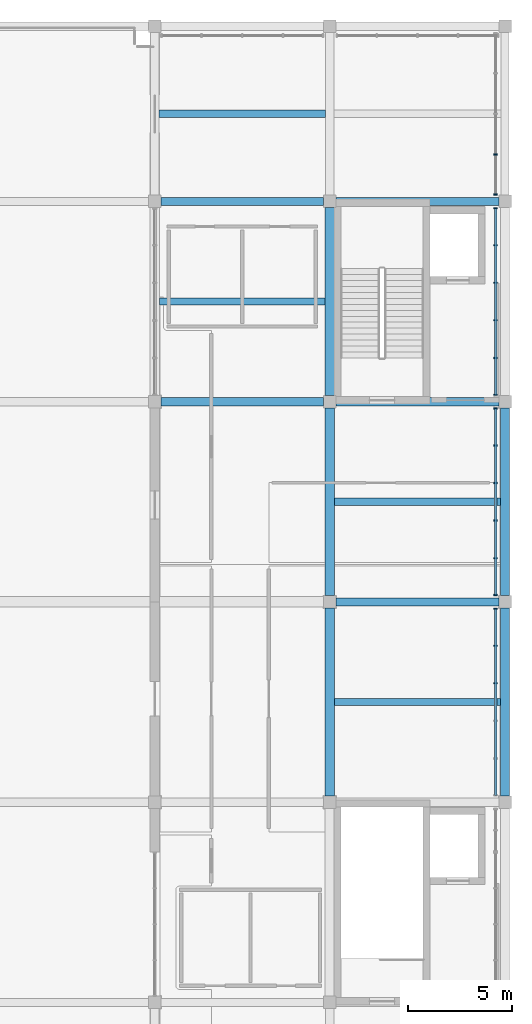
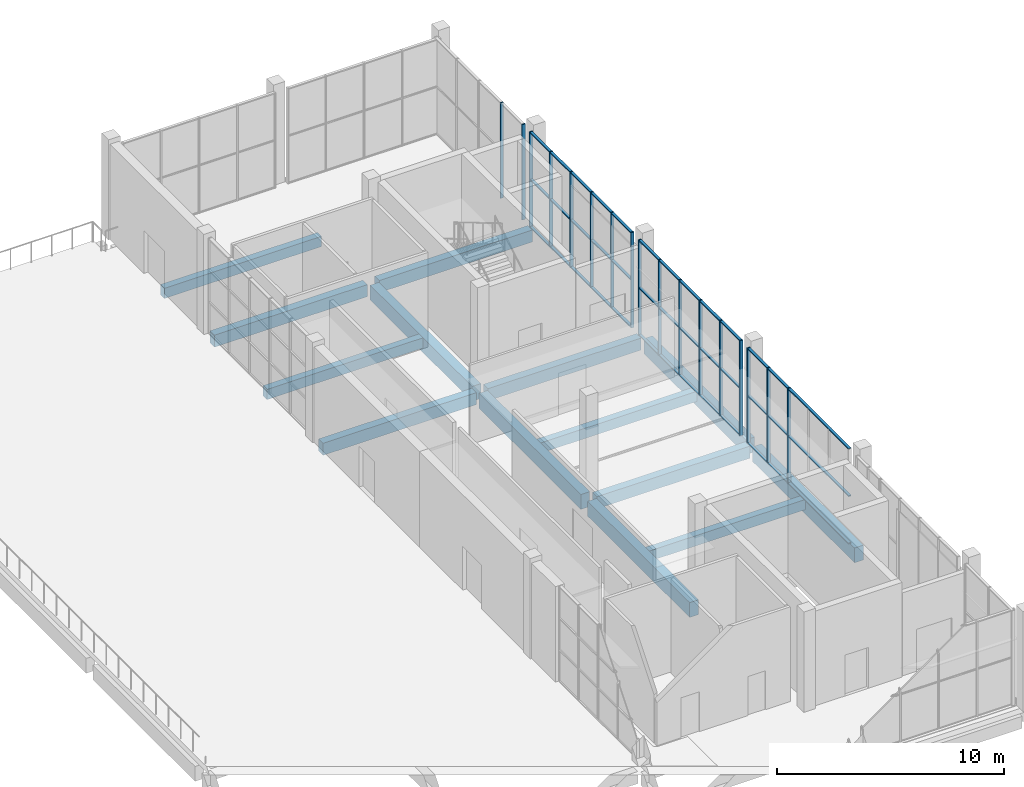
# One storey, part 6 of 15: 26 members, 14 beams, 4 elements without a shape of their own.
"""IFC4 building model written with IfcOpenShell, lengths in metres."""

from ifc_helpers import new_model, si_unit, direction, frame, origin, origin_2d, place, context, subcontext, project, spatial, rectangle, extrude, material, material_profile, profile_set, type_object, element, aggregate, save


model = new_model("IFC4")

# Units and contexts
model_context = context("Model", 3, precision=1e-05, world=origin(), true_north=direction((0.0, 1.0)))
body_context = subcontext(model_context, "Body", "Model", "MODEL_VIEW")
ifc_project = project(units=[si_unit("LENGTHUNIT", "METRE"), si_unit("AREAUNIT", "SQUARE_METRE"), si_unit("VOLUMEUNIT", "CUBIC_METRE"), si_unit("PLANEANGLEUNIT", "RADIAN"), si_unit("MASSUNIT", "GRAM", prefix="KILO")], contexts=[model_context])

# Site, building, storey
site_placement = place(None, origin())
site = spatial("IfcSite", under=ifc_project, at=site_placement, CompositionType="ELEMENT")
building_placement = place(site_placement, origin())
building = spatial("IfcBuilding", under=site, at=building_placement, Name="Shalvenor Court Art Gallery", CompositionType="ELEMENT")
storey_placement = place(building_placement, frame((0.0, 0.0, 27.0)))
storey = spatial("IfcBuildingStorey", under=building, at=storey_placement, Name="L05", CompositionType="ELEMENT", Elevation=27.0)

# Beams
ifc_material_1 = material(Name="Concrete C40/50", Category="concrete")
ifc_material_profile_1 = material_profile(ifc_material_1, rectangle(XDim=0.449951171875, YDim=0.800048828125, at=origin_2d()), Name="RC 450x800")
ifc_profile_set_1 = profile_set([ifc_material_profile_1], Name="Concrete C40/50")
beam_type_1 = type_object("IfcBeamType", Name="B-03", PredefinedType="BEAM", material=ifc_profile_set_1)
for number, where, z_axis, x_axis, name in (
    (1, (168.0, 60.300048828125, -0.699951171875), (0.0, 1.0, 0.0), (-1.0, 0.0, 0.0), "L05 Girder BM-L05-B-03-1290"),
    (2, (168.0, 69.89990234375, -0.699951171875), (0.0, 1.0, 0.0), (-1.0, 0.0, 0.0), "L05 Girder BM-L05-B-03-1291"),
    (3, (168.0, 79.5, -0.699951171875), (0.0, 1.0, 0.0), (-1.0, 0.0, 0.0), "L05 Girder BM-L05-B-03-1292"),
    (4, (176.39990234375, 60.300048828125, -0.699951171875), (0.0, 1.0, 0.0), (-1.0, 0.0, 0.0), "L05 Girder BM-L05-B-03-1296"),
    (5, (176.39990234375, 69.89990234375, -0.699951171875), (0.0, 1.0, 0.0), (-1.0, 0.0, 0.0), "L05 Girder BM-L05-B-03-1297"),
):
    element("IfcBeam", number, at=place(storey_placement, frame(where, z_axis=z_axis, x_axis=x_axis)), inside=storey, type_object=beam_type_1, Name=name, PredefinedType="BEAM", context=body_context, shape_type="SweptSolid", body=[
        extrude(rectangle(XDim=0.449951171875, YDim=0.800048828125, at=origin_2d()), origin(), (0.0, 0.0, 1.0), 9.0),
    ])
ifc_material_2 = material(Name="Concrete C40/50", Category="concrete")
ifc_material_profile_2 = material_profile(ifc_material_2, rectangle(XDim=0.39990234375, YDim=0.64990234375, at=origin_2d()), Name="RC 400x650")
ifc_profile_set_2 = profile_set([ifc_material_profile_2], Name="Concrete C40/50")
beam_type_2 = type_object("IfcBeamType", Name="B-06", PredefinedType="BEAM", material=ifc_profile_set_2)
for number, where, z_axis, x_axis, name in (
    (6, (168.300048828125, 69.60009765625, -0.625), (1.0, 0.0, 0.0), (0.0, 1.0, 0.0), "L05 Girder BM-L05-B-06-1314"),
    (7, (159.89990234375, 79.199951171875, -0.625), (1.0, 0.0, 0.0), (0.0, 1.0, 0.0), "L05 Girder BM-L05-B-06-1317"),
    (8, (168.300048828125, 79.199951171875, -0.625), (1.0, 0.0, 0.0), (0.0, 1.0, 0.0), "L05 Girder BM-L05-B-06-1318"),
    (9, (159.89990234375, 88.800048828125, -0.625), (1.0, 0.0, 0.0), (0.0, 1.0, 0.0), "L05 Girder BM-L05-B-06-1321"),
    (10, (168.300048828125, 88.800048828125, -0.625), (1.0, 0.0, 0.0), (0.0, 1.0, 0.0), "L05 Girder BM-L05-B-06-1322"),
):
    element("IfcBeam", number, at=place(storey_placement, frame(where, z_axis=z_axis, x_axis=x_axis)), inside=storey, type_object=beam_type_2, Name=name, PredefinedType="BEAM", context=body_context, shape_type="SweptSolid", body=[
        extrude(rectangle(XDim=0.39990234375, YDim=0.64990234375, at=origin_2d()), origin(), (0.0, 0.0, 1.0), 7.800048828125),
    ])

# Curtain wall, members
ifc_material_3 = material(Name="Anodised aluminium and low-iron glass curtain wall", Category="aluminium")
curtain_wall_type_1 = type_object("IfcCurtainWallType", Name="CW-CLR-4-78", PredefinedType="USERDEFINED", material=ifc_material_3)
curtain_wall_1_placement = place(storey_placement, origin())
curtain_wall_1 = element("IfcCurtainWall", 11, at=curtain_wall_1_placement, inside=storey, type_object=curtain_wall_type_1, Name="L05 Dark Clerestory Curtain Wall CW-L05-042", ObjectType="CURTAIN WALL", PredefinedType="USERDEFINED")
ifc_material_4 = material(Name="Dark anodised bronze aluminium mullion", Category="aluminium")
ifc_material_profile_3 = material_profile(ifc_material_4, rectangle(XDim=0.06005859375, YDim=0.159912109375, at=origin_2d()), Name="CWM-03")
ifc_profile_set_3 = profile_set([ifc_material_profile_3], Name="Dark anodised bronze aluminium mullion")
member_type_1 = type_object("IfcMemberType", Name="CWM-03", PredefinedType="MULLION", material=ifc_profile_set_3)
member_1_placement = place(storey_placement, frame((175.949951171875, 91.050048828125, 0.0), z_axis=(0.0, 0.0, 1.0), x_axis=(0.0, -1.0, 0.0)))
member_1 = element("IfcMember", 12, at=member_1_placement, type_object=member_type_1, Name="CW-CLR-4-78 mullion 4", PredefinedType="MULLION", context=body_context, shape_type="SweptSolid", body=[
    extrude(rectangle(XDim=0.06005859375, YDim=0.159912109375, at=origin_2d()), origin(), (0.0, 0.0, 1.0), 5.139892578125),
])
member_2_placement = place(storey_placement, frame((175.949951171875, 89.1298828125, 0.0), z_axis=(0.0, 0.0, 1.0), x_axis=(0.0, -1.0, 0.0)))
member_2 = element("IfcMember", 13, at=member_2_placement, type_object=member_type_1, Name="CW-CLR-4-78 mullion 5", PredefinedType="MULLION", context=body_context, shape_type="SweptSolid", body=[
    extrude(rectangle(XDim=0.06005859375, YDim=0.159912109375, at=origin_2d()), origin(), (0.0, 0.0, 1.0), 5.139892578125),
])
aggregate(curtain_wall_1, [member_1, member_2])

ifc_material_5 = material(Name="Anodised aluminium and low-iron glass curtain wall", Category="aluminium")
curtain_wall_type_2 = type_object("IfcCurtainWallType", Name="CW-CLR-5-90", PredefinedType="USERDEFINED", material=ifc_material_5)
curtain_wall_2_placement = place(storey_placement, origin())
curtain_wall_2 = element("IfcCurtainWall", 14, at=curtain_wall_2_placement, inside=storey, type_object=curtain_wall_type_2, Name="L05 Dark Clerestory Curtain Wall CW-L05-043", ObjectType="CURTAIN WALL", PredefinedType="USERDEFINED")
member_3_placement = place(storey_placement, frame((175.949951171875, 88.469970703125, 0.0), z_axis=(0.0, 0.0, 1.0), x_axis=(0.0, -1.0, 0.0)))
member_3 = element("IfcMember", 15, at=member_3_placement, type_object=member_type_1, Name="CW-CLR-5-90 mullion 1", PredefinedType="MULLION", context=body_context, shape_type="SweptSolid", body=[
    extrude(rectangle(XDim=0.06005859375, YDim=0.159912109375, at=origin_2d()), origin(), (0.0, 0.0, 1.0), 5.139892578125),
])
member_4_placement = place(storey_placement, frame((175.949951171875, 86.699951171875, 0.0), z_axis=(0.0, 0.0, 1.0), x_axis=(0.0, -1.0, 0.0)))
member_4 = element("IfcMember", 16, at=member_4_placement, type_object=member_type_1, Name="CW-CLR-5-90 mullion 2", PredefinedType="MULLION", context=body_context, shape_type="SweptSolid", body=[
    extrude(rectangle(XDim=0.06005859375, YDim=0.159912109375, at=origin_2d()), origin(), (0.0, 0.0, 1.0), 5.139892578125),
])
member_5_placement = place(storey_placement, frame((175.949951171875, 84.89990234375, 0.0), z_axis=(0.0, 0.0, 1.0), x_axis=(0.0, -1.0, 0.0)))
member_5 = element("IfcMember", 17, at=member_5_placement, type_object=member_type_1, Name="CW-CLR-5-90 mullion 3", PredefinedType="MULLION", context=body_context, shape_type="SweptSolid", body=[
    extrude(rectangle(XDim=0.06005859375, YDim=0.159912109375, at=origin_2d()), origin(), (0.0, 0.0, 1.0), 5.139892578125),
])
member_6_placement = place(storey_placement, frame((175.949951171875, 83.10009765625, 0.0), z_axis=(0.0, 0.0, 1.0), x_axis=(0.0, -1.0, 0.0)))
member_6 = element("IfcMember", 18, at=member_6_placement, type_object=member_type_1, Name="CW-CLR-5-90 mullion 4", PredefinedType="MULLION", context=body_context, shape_type="SweptSolid", body=[
    extrude(rectangle(XDim=0.06005859375, YDim=0.159912109375, at=origin_2d()), origin(), (0.0, 0.0, 1.0), 5.139892578125),
])
member_7_placement = place(storey_placement, frame((175.949951171875, 81.300048828125, 0.0), z_axis=(0.0, 0.0, 1.0), x_axis=(0.0, -1.0, 0.0)))
member_7 = element("IfcMember", 19, at=member_7_placement, type_object=member_type_1, Name="CW-CLR-5-90 mullion 5", PredefinedType="MULLION", context=body_context, shape_type="SweptSolid", body=[
    extrude(rectangle(XDim=0.06005859375, YDim=0.159912109375, at=origin_2d()), origin(), (0.0, 0.0, 1.0), 5.139892578125),
])
member_8_placement = place(storey_placement, frame((175.949951171875, 79.530029296875, 0.0), z_axis=(0.0, 0.0, 1.0), x_axis=(0.0, -1.0, 0.0)))
member_8 = element("IfcMember", 20, at=member_8_placement, type_object=member_type_1, Name="CW-CLR-5-90 mullion 6", PredefinedType="MULLION", context=body_context, shape_type="SweptSolid", body=[
    extrude(rectangle(XDim=0.06005859375, YDim=0.159912109375, at=origin_2d()), origin(), (0.0, 0.0, 1.0), 5.139892578125),
])

curtain_wall_3_placement = place(storey_placement, origin())
curtain_wall_3 = element("IfcCurtainWall", 21, at=curtain_wall_3_placement, inside=storey, type_object=curtain_wall_type_2, Name="L05 Dark Clerestory Curtain Wall CW-L05-044", ObjectType="CURTAIN WALL", PredefinedType="USERDEFINED")
member_9_placement = place(storey_placement, frame((175.949951171875, 78.8701171875, 0.0), z_axis=(0.0, 0.0, 1.0), x_axis=(0.0, -1.0, 0.0)))
member_9 = element("IfcMember", 22, at=member_9_placement, type_object=member_type_1, Name="CW-CLR-5-90 mullion 1", PredefinedType="MULLION", context=body_context, shape_type="SweptSolid", body=[
    extrude(rectangle(XDim=0.06005859375, YDim=0.159912109375, at=origin_2d()), origin(), (0.0, 0.0, 1.0), 5.139892578125),
])
member_10_placement = place(storey_placement, frame((175.949951171875, 77.10009765625, 0.0), z_axis=(0.0, 0.0, 1.0), x_axis=(0.0, -1.0, 0.0)))
member_10 = element("IfcMember", 23, at=member_10_placement, type_object=member_type_1, Name="CW-CLR-5-90 mullion 2", PredefinedType="MULLION", context=body_context, shape_type="SweptSolid", body=[
    extrude(rectangle(XDim=0.06005859375, YDim=0.159912109375, at=origin_2d()), origin(), (0.0, 0.0, 1.0), 5.139892578125),
])
member_11_placement = place(storey_placement, frame((175.949951171875, 75.300048828125, 0.0), z_axis=(0.0, 0.0, 1.0), x_axis=(0.0, -1.0, 0.0)))
member_11 = element("IfcMember", 24, at=member_11_placement, type_object=member_type_1, Name="CW-CLR-5-90 mullion 3", PredefinedType="MULLION", context=body_context, shape_type="SweptSolid", body=[
    extrude(rectangle(XDim=0.06005859375, YDim=0.159912109375, at=origin_2d()), origin(), (0.0, 0.0, 1.0), 5.139892578125),
])
member_12_placement = place(storey_placement, frame((175.949951171875, 73.5, 0.0), z_axis=(0.0, 0.0, 1.0), x_axis=(0.0, -1.0, 0.0)))
member_12 = element("IfcMember", 25, at=member_12_placement, type_object=member_type_1, Name="CW-CLR-5-90 mullion 4", PredefinedType="MULLION", context=body_context, shape_type="SweptSolid", body=[
    extrude(rectangle(XDim=0.06005859375, YDim=0.159912109375, at=origin_2d()), origin(), (0.0, 0.0, 1.0), 5.139892578125),
])
member_13_placement = place(storey_placement, frame((175.949951171875, 71.699951171875, 0.0), z_axis=(0.0, 0.0, 1.0), x_axis=(0.0, -1.0, 0.0)))
member_13 = element("IfcMember", 26, at=member_13_placement, type_object=member_type_1, Name="CW-CLR-5-90 mullion 5", PredefinedType="MULLION", context=body_context, shape_type="SweptSolid", body=[
    extrude(rectangle(XDim=0.06005859375, YDim=0.159912109375, at=origin_2d()), origin(), (0.0, 0.0, 1.0), 5.139892578125),
])
member_14_placement = place(storey_placement, frame((175.949951171875, 69.929931640625, 0.0), z_axis=(0.0, 0.0, 1.0), x_axis=(0.0, -1.0, 0.0)))
member_14 = element("IfcMember", 27, at=member_14_placement, type_object=member_type_1, Name="CW-CLR-5-90 mullion 6", PredefinedType="MULLION", context=body_context, shape_type="SweptSolid", body=[
    extrude(rectangle(XDim=0.06005859375, YDim=0.159912109375, at=origin_2d()), origin(), (0.0, 0.0, 1.0), 5.139892578125),
])

curtain_wall_4_placement = place(storey_placement, origin())
curtain_wall_4 = element("IfcCurtainWall", 28, at=curtain_wall_4_placement, inside=storey, type_object=curtain_wall_type_2, Name="L05 Dark Clerestory Curtain Wall CW-L05-045", ObjectType="CURTAIN WALL", PredefinedType="USERDEFINED")
member_15_placement = place(storey_placement, frame((175.949951171875, 69.27001953125, 0.0), z_axis=(0.0, 0.0, 1.0), x_axis=(0.0, -1.0, 0.0)))
member_15 = element("IfcMember", 29, at=member_15_placement, type_object=member_type_1, Name="CW-CLR-5-90 mullion 1", PredefinedType="MULLION", context=body_context, shape_type="SweptSolid", body=[
    extrude(rectangle(XDim=0.06005859375, YDim=0.159912109375, at=origin_2d()), origin(), (0.0, 0.0, 1.0), 5.139892578125),
])
member_16_placement = place(storey_placement, frame((175.949951171875, 67.5, 0.0), z_axis=(0.0, 0.0, 1.0), x_axis=(0.0, -1.0, 0.0)))
member_16 = element("IfcMember", 30, at=member_16_placement, type_object=member_type_1, Name="CW-CLR-5-90 mullion 2", PredefinedType="MULLION", context=body_context, shape_type="SweptSolid", body=[
    extrude(rectangle(XDim=0.06005859375, YDim=0.159912109375, at=origin_2d()), origin(), (0.0, 0.0, 1.0), 5.139892578125),
])
member_17_placement = place(storey_placement, frame((175.949951171875, 65.699951171875, 0.0), z_axis=(0.0, 0.0, 1.0), x_axis=(0.0, -1.0, 0.0)))
member_17 = element("IfcMember", 31, at=member_17_placement, type_object=member_type_1, Name="CW-CLR-5-90 mullion 3", PredefinedType="MULLION", context=body_context, shape_type="SweptSolid", body=[
    extrude(rectangle(XDim=0.06005859375, YDim=0.159912109375, at=origin_2d()), origin(), (0.0, 0.0, 1.0), 5.139892578125),
])

# Member
ifc_material_6 = material(Name="Dark anodised bronze aluminium transom", Category="aluminium")
ifc_material_profile_4 = material_profile(ifc_material_6, rectangle(XDim=0.135009765625, YDim=0.054931640625, at=origin_2d()), Name="CWT-03")
ifc_profile_set_4 = profile_set([ifc_material_profile_4], Name="Dark anodised bronze aluminium transom")
member_type_2 = type_object("IfcMemberType", Name="CWT-03", PredefinedType="USERDEFINED", material=ifc_profile_set_4)
member_18_placement = place(storey_placement, frame((175.949951171875, 88.469970703125, 0.027587890625), z_axis=(0.0, -1.0, 0.0), x_axis=(1.0, 0.0, 0.0)))
member_18 = element("IfcMember", 32, at=member_18_placement, type_object=member_type_2, Name="CW-CLR-5-90 transom 1", ObjectType="TRANSOM", PredefinedType="USERDEFINED", context=body_context, shape_type="SweptSolid", body=[
    extrude(rectangle(XDim=0.135009765625, YDim=0.054931640625, at=origin_2d()), origin(), (0.0, 0.0, 1.0), 8.93994140625),
])

member_19_placement = place(storey_placement, frame((175.949951171875, 88.469970703125, 2.570068359375), z_axis=(0.0, -1.0, 0.0), x_axis=(1.0, 0.0, 0.0)))
member_19 = element("IfcMember", 33, at=member_19_placement, type_object=member_type_2, Name="CW-CLR-5-90 transom 2", ObjectType="TRANSOM", PredefinedType="USERDEFINED", context=body_context, shape_type="SweptSolid", body=[
    extrude(rectangle(XDim=0.135009765625, YDim=0.054931640625, at=origin_2d()), origin(), (0.0, 0.0, 1.0), 8.93994140625),
])

member_20_placement = place(storey_placement, frame((175.949951171875, 88.469970703125, 5.112548828125), z_axis=(0.0, -1.0, 0.0), x_axis=(1.0, 0.0, 0.0)))
member_20 = element("IfcMember", 34, at=member_20_placement, type_object=member_type_2, Name="CW-CLR-5-90 transom 3", ObjectType="TRANSOM", PredefinedType="USERDEFINED", context=body_context, shape_type="SweptSolid", body=[
    extrude(rectangle(XDim=0.135009765625, YDim=0.054931640625, at=origin_2d()), origin(), (0.0, 0.0, 1.0), 8.93994140625),
])

aggregate(curtain_wall_2, [member_3, member_4, member_5, member_6, member_7, member_8, member_18, member_19, member_20])

member_21_placement = place(storey_placement, frame((175.949951171875, 78.8701171875, 0.027587890625), z_axis=(0.0, -1.0, 0.0), x_axis=(1.0, 0.0, 0.0)))
member_21 = element("IfcMember", 35, at=member_21_placement, type_object=member_type_2, Name="CW-CLR-5-90 transom 1", ObjectType="TRANSOM", PredefinedType="USERDEFINED", context=body_context, shape_type="SweptSolid", body=[
    extrude(rectangle(XDim=0.135009765625, YDim=0.054931640625, at=origin_2d()), origin(), (0.0, 0.0, 1.0), 8.940185546875),
])

member_22_placement = place(storey_placement, frame((175.949951171875, 78.8701171875, 2.570068359375), z_axis=(0.0, -1.0, 0.0), x_axis=(1.0, 0.0, 0.0)))
member_22 = element("IfcMember", 36, at=member_22_placement, type_object=member_type_2, Name="CW-CLR-5-90 transom 2", ObjectType="TRANSOM", PredefinedType="USERDEFINED", context=body_context, shape_type="SweptSolid", body=[
    extrude(rectangle(XDim=0.135009765625, YDim=0.054931640625, at=origin_2d()), origin(), (0.0, 0.0, 1.0), 8.940185546875),
])

member_23_placement = place(storey_placement, frame((175.949951171875, 78.8701171875, 5.112548828125), z_axis=(0.0, -1.0, 0.0), x_axis=(1.0, 0.0, 0.0)))
member_23 = element("IfcMember", 37, at=member_23_placement, type_object=member_type_2, Name="CW-CLR-5-90 transom 3", ObjectType="TRANSOM", PredefinedType="USERDEFINED", context=body_context, shape_type="SweptSolid", body=[
    extrude(rectangle(XDim=0.135009765625, YDim=0.054931640625, at=origin_2d()), origin(), (0.0, 0.0, 1.0), 8.940185546875),
])

aggregate(curtain_wall_3, [member_9, member_10, member_11, member_12, member_13, member_14, member_21, member_22, member_23])

member_24_placement = place(storey_placement, frame((175.949951171875, 69.27001953125, 0.027587890625), z_axis=(0.0, -1.0, 0.0), x_axis=(1.0, 0.0, 0.0)))
member_24 = element("IfcMember", 38, at=member_24_placement, type_object=member_type_2, Name="CW-CLR-5-90 transom 1", ObjectType="TRANSOM", PredefinedType="USERDEFINED", context=body_context, shape_type="SweptSolid", body=[
    extrude(rectangle(XDim=0.135009765625, YDim=0.054931640625, at=origin_2d()), origin(), (0.0, 0.0, 1.0), 8.93994140625),
])

member_25_placement = place(storey_placement, frame((175.949951171875, 69.27001953125, 2.570068359375), z_axis=(0.0, -1.0, 0.0), x_axis=(1.0, 0.0, 0.0)))
member_25 = element("IfcMember", 39, at=member_25_placement, type_object=member_type_2, Name="CW-CLR-5-90 transom 2", ObjectType="TRANSOM", PredefinedType="USERDEFINED", context=body_context, shape_type="SweptSolid", body=[
    extrude(rectangle(XDim=0.135009765625, YDim=0.054931640625, at=origin_2d()), origin(), (0.0, 0.0, 1.0), 8.93994140625),
])

member_26_placement = place(storey_placement, frame((175.949951171875, 69.27001953125, 5.112548828125), z_axis=(0.0, -1.0, 0.0), x_axis=(1.0, 0.0, 0.0)))
member_26 = element("IfcMember", 40, at=member_26_placement, type_object=member_type_2, Name="CW-CLR-5-90 transom 3", ObjectType="TRANSOM", PredefinedType="USERDEFINED", context=body_context, shape_type="SweptSolid", body=[
    extrude(rectangle(XDim=0.135009765625, YDim=0.054931640625, at=origin_2d()), origin(), (0.0, 0.0, 1.0), 8.93994140625),
])

aggregate(curtain_wall_4, [member_15, member_16, member_17, member_24, member_25, member_26])

# Beams
ifc_material_7 = material(Name="Concrete C40/50", Category="concrete")
ifc_material_profile_5 = material_profile(ifc_material_7, rectangle(XDim=0.35009765625, YDim=0.550048828125, at=origin_2d()), Name="RC 350x550")
ifc_profile_set_5 = profile_set([ifc_material_profile_5], Name="Concrete C40/50")
beam_type_3 = type_object("IfcBeamType", Name="J-02", PredefinedType="JOIST", material=ifc_profile_set_5)
beam_1_placement = place(storey_placement, frame((159.824951171875, 84.0, -0.574951171875), z_axis=(1.0, 0.0, 0.0), x_axis=(0.0, 1.0, 0.0)))
element("IfcBeam", 41, at=beam_1_placement, inside=storey, type_object=beam_type_3, Name="L05 Secondary Beam JST-L05-J-02-1328", PredefinedType="JOIST", context=body_context, shape_type="SweptSolid", body=[
    extrude(rectangle(XDim=0.35009765625, YDim=0.550048828125, at=origin_2d()), origin(), (0.0, 0.0, 1.0), 7.949951171875),
])
beam_2_placement = place(storey_placement, frame((159.800048828125, 93.0, -0.574951171875), z_axis=(1.0, 0.0, 0.0), x_axis=(0.0, 1.0, 0.0)))
element("IfcBeam", 42, at=beam_2_placement, inside=storey, type_object=beam_type_3, Name="L05 Secondary Beam JST-L05-J-02-1329", PredefinedType="JOIST", context=body_context, shape_type="SweptSolid", body=[
    extrude(rectangle(XDim=0.35009765625, YDim=0.550048828125, at=origin_2d()), origin(), (0.0, 0.0, 1.0), 8.0),
])
for number, where, z_axis, x_axis, name in (
    (43, (168.22509765625, 64.800048828125, -0.574951171875), (1.0, 0.0, 0.0), (0.0, 1.0, 0.0), "L05 Secondary Beam JST-L05-J-02-1331"),
    (44, (168.22509765625, 74.39990234375, -0.574951171875), (1.0, 0.0, 0.0), (0.0, 1.0, 0.0), "L05 Secondary Beam JST-L05-J-02-1332"),
):
    element("IfcBeam", number, at=place(storey_placement, frame(where, z_axis=z_axis, x_axis=x_axis)), inside=storey, type_object=beam_type_3, Name=name, PredefinedType="JOIST", context=body_context, shape_type="SweptSolid", body=[
        extrude(rectangle(XDim=0.35009765625, YDim=0.550048828125, at=origin_2d()), origin(), (0.0, 0.0, 1.0), 7.949951171875),
    ])

save(model, "model.ifc")
